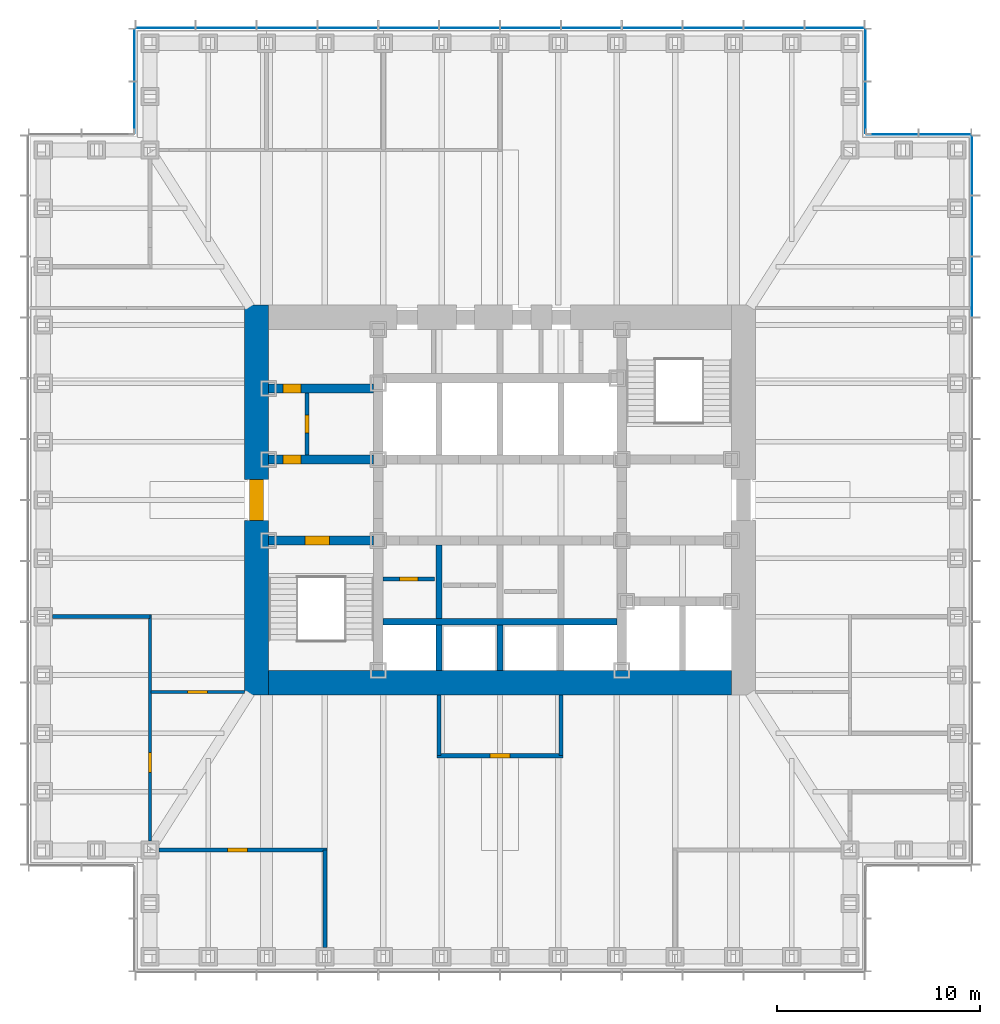
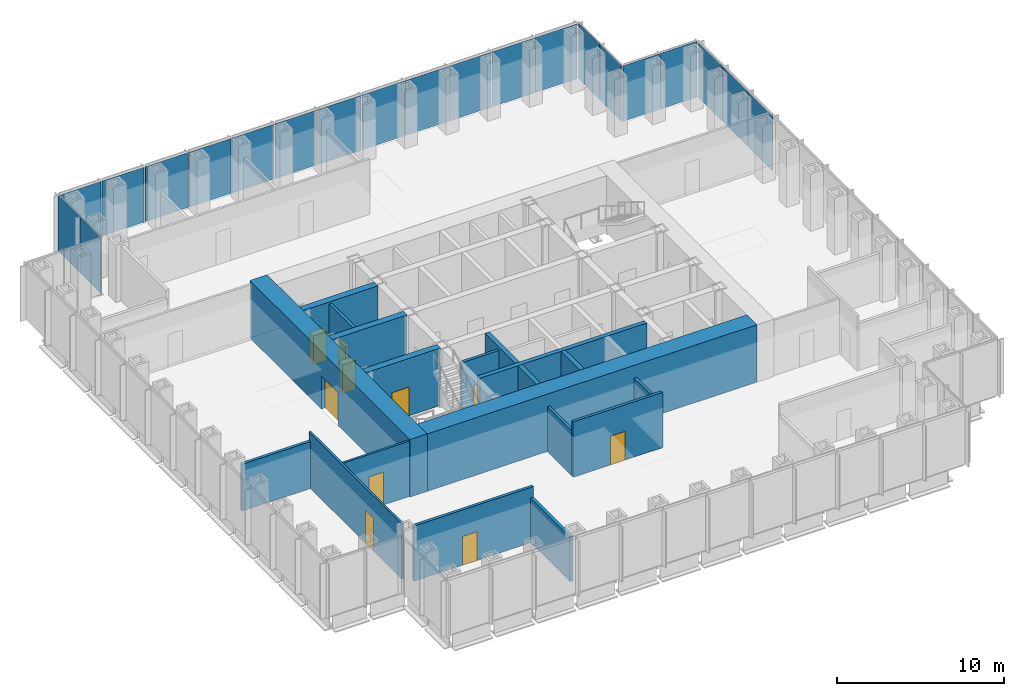
# One storey, part 8 of 16: 21 plates, 19 walls, 10 doors, 10 openings, 5 elements without a shape of their own.
"""IFC4 building model written with IfcOpenShell, lengths in metres."""

from ifc_helpers import new_model, si_unit, direction, frame, frame_2d, origin, origin_2d, place, context, subcontext, project, spatial, rectangle, extrude, material, layer, layer_set, type_object, element, fill, aggregate, save


model = new_model("IFC4")

# Units and contexts
model_context = context("Model", 3, precision=1e-05, world=origin(), true_north=direction((0.0, 1.0)))
body_context = subcontext(model_context, "Body", "Model", "MODEL_VIEW")
ifc_project = project(units=[si_unit("LENGTHUNIT", "METRE"), si_unit("AREAUNIT", "SQUARE_METRE"), si_unit("VOLUMEUNIT", "CUBIC_METRE"), si_unit("PLANEANGLEUNIT", "RADIAN"), si_unit("MASSUNIT", "GRAM", prefix="KILO")], contexts=[model_context])

# Site, building, storey
site_placement = place(None, origin())
site = spatial("IfcSite", under=ifc_project, at=site_placement, CompositionType="ELEMENT")
building_placement = place(site_placement, origin())
building = spatial("IfcBuilding", under=site, at=building_placement, Name="Daluyong Arena Tower", CompositionType="ELEMENT")
storey_placement = place(building_placement, frame((0.0, 0.0, 137.5)))
storey = spatial("IfcBuildingStorey", under=building, at=storey_placement, Name="L30", CompositionType="ELEMENT", Elevation=137.5)

# Curtain wall, plates
ifc_material_1 = material(Name="Bronze anodised aluminium and glass", Category="aluminium")
curtain_wall_type_1 = type_object("IfcCurtainWallType", Name="Curtain wall CW2", PredefinedType="USERDEFINED", material=ifc_material_1)
curtain_wall_1_placement = place(storey_placement, origin())
curtain_wall_1 = element("IfcCurtainWall", 1, at=curtain_wall_1_placement, inside=storey, type_object=curtain_wall_type_1, Name="curtain wall L30 E", ObjectType="UNITISED CURTAIN WALL", PredefinedType="USERDEFINED")
ifc_material_2 = material(Name="Tinted double glazed unit", Category="glass")
ifc_layer_1 = layer(ifc_material_2, 0.031982421875)
ifc_layer_set_1 = layer_set([ifc_layer_1], Name="Tinted double glazed unit")
plate_type_1 = type_object("IfcPlateType", Name="CW2 panel 32", PredefinedType="CURTAIN_PANEL", material=ifc_layer_set_1)
plate_1_placement = place(storey_placement, frame((79.25, 90.5, 0.0), z_axis=(0.0, 0.0, 1.0), x_axis=(0.0, 1.0, 0.0)))
plate_1 = element("IfcPlate", 2, at=plate_1_placement, type_object=plate_type_1, Name="curtain wall L30 E panel 10", PredefinedType="CURTAIN_PANEL", context=body_context, shape_type="SweptSolid", body=[
    extrude(rectangle(XDim=2.919921875, YDim=0.031982421875, at=origin_2d()), origin(), (0.0, 0.0, 1.0), 4.02001953125),
])
plate_2_placement = place(storey_placement, frame((79.25, 93.5, 0.0), z_axis=(0.0, 0.0, 1.0), x_axis=(0.0, 1.0, 0.0)))
plate_2 = element("IfcPlate", 3, at=plate_2_placement, type_object=plate_type_1, Name="curtain wall L30 E panel 11", PredefinedType="CURTAIN_PANEL", context=body_context, shape_type="SweptSolid", body=[
    extrude(rectangle(XDim=2.919921875, YDim=0.031982421875, at=origin_2d()), origin(), (0.0, 0.0, 1.0), 4.02001953125),
])
plate_3_placement = place(storey_placement, frame((79.25, 96.47998046875, 0.0), z_axis=(0.0, 0.0, 1.0), x_axis=(0.0, 1.0, 0.0)))
plate_3 = element("IfcPlate", 4, at=plate_3_placement, type_object=plate_type_1, Name="curtain wall L30 E panel 12", PredefinedType="CURTAIN_PANEL", context=body_context, shape_type="SweptSolid", body=[
    extrude(rectangle(XDim=2.8798828125, YDim=0.031982421875, at=origin_2d()), origin(), (0.0, 0.0, 1.0), 4.02001953125),
])
aggregate(curtain_wall_1, [plate_1, plate_2, plate_3])

curtain_wall_2_placement = place(storey_placement, origin())
curtain_wall_2 = element("IfcCurtainWall", 5, at=curtain_wall_2_placement, inside=storey, type_object=curtain_wall_type_1, Name="curtain wall L30 N", ObjectType="UNITISED CURTAIN WALL", PredefinedType="USERDEFINED")
plate_4_placement = place(storey_placement, frame((72.47998046875, 103.25, 0.0), z_axis=(0.0, 0.0, 1.0), x_axis=(-1.0, 0.0, 0.0)))
plate_4 = element("IfcPlate", 6, at=plate_4_placement, type_object=plate_type_1, Name="curtain wall L30 N panel 1", PredefinedType="CURTAIN_PANEL", context=body_context, shape_type="SweptSolid", body=[
    extrude(rectangle(XDim=2.8798828125, YDim=0.031982421875, at=origin_2d()), origin(), (0.0, 0.0, 1.0), 4.02001953125),
])
plate_5_placement = place(storey_placement, frame((69.5, 103.25, 0.0), z_axis=(0.0, 0.0, 1.0), x_axis=(-1.0, 0.0, 0.0)))
plate_5 = element("IfcPlate", 7, at=plate_5_placement, type_object=plate_type_1, Name="curtain wall L30 N panel 2", PredefinedType="CURTAIN_PANEL", context=body_context, shape_type="SweptSolid", body=[
    extrude(rectangle(XDim=2.919921875, YDim=0.031982421875, at=origin_2d()), origin(), (0.0, 0.0, 1.0), 4.02001953125),
])
plate_6_placement = place(storey_placement, frame((66.5, 103.25, 0.0), z_axis=(0.0, 0.0, 1.0), x_axis=(-1.0, 0.0, 0.0)))
plate_6 = element("IfcPlate", 8, at=plate_6_placement, type_object=plate_type_1, Name="curtain wall L30 N panel 3", PredefinedType="CURTAIN_PANEL", context=body_context, shape_type="SweptSolid", body=[
    extrude(rectangle(XDim=2.919921875, YDim=0.031982421875, at=origin_2d()), origin(), (0.0, 0.0, 1.0), 4.02001953125),
])
plate_7_placement = place(storey_placement, frame((63.5, 103.25, 0.0), z_axis=(0.0, 0.0, 1.0), x_axis=(-1.0, 0.0, 0.0)))
plate_7 = element("IfcPlate", 9, at=plate_7_placement, type_object=plate_type_1, Name="curtain wall L30 N panel 4", PredefinedType="CURTAIN_PANEL", context=body_context, shape_type="SweptSolid", body=[
    extrude(rectangle(XDim=2.919921875, YDim=0.031982421875, at=origin_2d()), origin(), (0.0, 0.0, 1.0), 4.02001953125),
])
plate_8_placement = place(storey_placement, frame((60.5, 103.25, 0.0), z_axis=(0.0, 0.0, 1.0), x_axis=(-1.0, 0.0, 0.0)))
plate_8 = element("IfcPlate", 10, at=plate_8_placement, type_object=plate_type_1, Name="curtain wall L30 N panel 5", PredefinedType="CURTAIN_PANEL", context=body_context, shape_type="SweptSolid", body=[
    extrude(rectangle(XDim=2.919921875, YDim=0.031982421875, at=origin_2d()), origin(), (0.0, 0.0, 1.0), 4.02001953125),
])
plate_9_placement = place(storey_placement, frame((57.5, 103.25, 0.0), z_axis=(0.0, 0.0, 1.0), x_axis=(-1.0, 0.0, 0.0)))
plate_9 = element("IfcPlate", 11, at=plate_9_placement, type_object=plate_type_1, Name="curtain wall L30 N panel 6", PredefinedType="CURTAIN_PANEL", context=body_context, shape_type="SweptSolid", body=[
    extrude(rectangle(XDim=2.919921875, YDim=0.031982421875, at=origin_2d()), origin(), (0.0, 0.0, 1.0), 4.02001953125),
])
plate_10_placement = place(storey_placement, frame((54.5, 103.25, 0.0), z_axis=(0.0, 0.0, 1.0), x_axis=(-1.0, 0.0, 0.0)))
plate_10 = element("IfcPlate", 12, at=plate_10_placement, type_object=plate_type_1, Name="curtain wall L30 N panel 7", PredefinedType="CURTAIN_PANEL", context=body_context, shape_type="SweptSolid", body=[
    extrude(rectangle(XDim=2.919921875, YDim=0.031982421875, at=origin_2d()), origin(), (0.0, 0.0, 1.0), 4.02001953125),
])
plate_11_placement = place(storey_placement, frame((51.5, 103.25, 0.0), z_axis=(0.0, 0.0, 1.0), x_axis=(-1.0, 0.0, 0.0)))
plate_11 = element("IfcPlate", 13, at=plate_11_placement, type_object=plate_type_1, Name="curtain wall L30 N panel 8", PredefinedType="CURTAIN_PANEL", context=body_context, shape_type="SweptSolid", body=[
    extrude(rectangle(XDim=2.919921875, YDim=0.031982421875, at=origin_2d()), origin(), (0.0, 0.0, 1.0), 4.02001953125),
])
plate_12_placement = place(storey_placement, frame((48.5, 103.25, 0.0), z_axis=(0.0, 0.0, 1.0), x_axis=(-1.0, 0.0, 0.0)))
plate_12 = element("IfcPlate", 14, at=plate_12_placement, type_object=plate_type_1, Name="curtain wall L30 N panel 9", PredefinedType="CURTAIN_PANEL", context=body_context, shape_type="SweptSolid", body=[
    extrude(rectangle(XDim=2.919921875, YDim=0.031982421875, at=origin_2d()), origin(), (0.0, 0.0, 1.0), 4.02001953125),
])
plate_13_placement = place(storey_placement, frame((45.5, 103.25, 0.0), z_axis=(0.0, 0.0, 1.0), x_axis=(-1.0, 0.0, 0.0)))
plate_13 = element("IfcPlate", 15, at=plate_13_placement, type_object=plate_type_1, Name="curtain wall L30 N panel 10", PredefinedType="CURTAIN_PANEL", context=body_context, shape_type="SweptSolid", body=[
    extrude(rectangle(XDim=2.919921875, YDim=0.031982421875, at=origin_2d()), origin(), (0.0, 0.0, 1.0), 4.02001953125),
])
plate_14_placement = place(storey_placement, frame((42.5, 103.25, 0.0), z_axis=(0.0, 0.0, 1.0), x_axis=(-1.0, 0.0, 0.0)))
plate_14 = element("IfcPlate", 16, at=plate_14_placement, type_object=plate_type_1, Name="curtain wall L30 N panel 11", PredefinedType="CURTAIN_PANEL", context=body_context, shape_type="SweptSolid", body=[
    extrude(rectangle(XDim=2.919921875, YDim=0.031982421875, at=origin_2d()), origin(), (0.0, 0.0, 1.0), 4.02001953125),
])
plate_15_placement = place(storey_placement, frame((39.52001953125, 103.25, 0.0), z_axis=(0.0, 0.0, 1.0), x_axis=(-1.0, 0.0, 0.0)))
plate_15 = element("IfcPlate", 17, at=plate_15_placement, type_object=plate_type_1, Name="curtain wall L30 N panel 12", PredefinedType="CURTAIN_PANEL", context=body_context, shape_type="SweptSolid", body=[
    extrude(rectangle(XDim=2.8798828125, YDim=0.031982421875, at=origin_2d()), origin(), (0.0, 0.0, 1.0), 4.02001953125),
])
aggregate(curtain_wall_2, [plate_4, plate_5, plate_6, plate_7, plate_8, plate_9, plate_10, plate_11, plate_12, plate_13, plate_14, plate_15])

ifc_material_3 = material(Name="Bronze anodised aluminium and glass", Category="aluminium")
curtain_wall_type_2 = type_object("IfcCurtainWallType", Name="Curtain wall CW7", PredefinedType="USERDEFINED", material=ifc_material_3)
curtain_wall_3_placement = place(storey_placement, origin())
curtain_wall_3 = element("IfcCurtainWall", 18, at=curtain_wall_3_placement, inside=storey, type_object=curtain_wall_type_2, Name="curtain wall L30 NE-N", ObjectType="UNITISED CURTAIN WALL", PredefinedType="USERDEFINED")
ifc_material_4 = material(Name="Tinted double glazed unit", Category="glass")
ifc_layer_2 = layer(ifc_material_4, 0.028076171875)
ifc_layer_set_2 = layer_set([ifc_layer_2], Name="Tinted double glazed unit")
plate_type_2 = type_object("IfcPlateType", Name="CW7 panel 28", PredefinedType="CURTAIN_PANEL", material=ifc_layer_set_2)
plate_16_placement = place(storey_placement, frame((77.922607421875, 98.0, 0.0), z_axis=(0.0, 0.0, 1.0), x_axis=(-1.0, 0.0, 0.0)))
plate_16 = element("IfcPlate", 19, at=plate_16_placement, type_object=plate_type_2, Name="curtain wall L30 NE-N panel 1", PredefinedType="CURTAIN_PANEL", context=body_context, shape_type="SweptSolid", body=[
    extrude(rectangle(XDim=2.534912109375, YDim=0.028076171875, at=origin_2d()), origin(), (0.0, 0.0, 1.0), 4.080078125),
])
plate_17_placement = place(storey_placement, frame((75.327392578125, 98.0, 0.0), z_axis=(0.0, 0.0, 1.0), x_axis=(-1.0, 0.0, 0.0)))
plate_17 = element("IfcPlate", 20, at=plate_17_placement, type_object=plate_type_2, Name="curtain wall L30 NE-N panel 2", PredefinedType="CURTAIN_PANEL", context=body_context, shape_type="SweptSolid", body=[
    extrude(rectangle(XDim=2.534912109375, YDim=0.028076171875, at=origin_2d()), origin(), (0.0, 0.0, 1.0), 4.080078125),
])
aggregate(curtain_wall_3, [plate_16, plate_17])

curtain_wall_4_placement = place(storey_placement, origin())
curtain_wall_4 = element("IfcCurtainWall", 21, at=curtain_wall_4_placement, inside=storey, type_object=curtain_wall_type_2, Name="curtain wall L30 NE-E", ObjectType="UNITISED CURTAIN WALL", PredefinedType="USERDEFINED")
plate_18_placement = place(storey_placement, frame((74.0, 99.327392578125, 0.0), z_axis=(0.0, 0.0, 1.0), x_axis=(0.0, 1.0, 0.0)))
plate_18 = element("IfcPlate", 22, at=plate_18_placement, type_object=plate_type_2, Name="curtain wall L30 NE-E panel 1", PredefinedType="CURTAIN_PANEL", context=body_context, shape_type="SweptSolid", body=[
    extrude(rectangle(XDim=2.534912109375, YDim=0.028076171875, at=origin_2d()), origin(), (0.0, 0.0, 1.0), 4.080078125),
])
plate_19_placement = place(storey_placement, frame((74.0, 101.922607421875, 0.0), z_axis=(0.0, 0.0, 1.0), x_axis=(0.0, 1.0, 0.0)))
plate_19 = element("IfcPlate", 23, at=plate_19_placement, type_object=plate_type_2, Name="curtain wall L30 NE-E panel 2", PredefinedType="CURTAIN_PANEL", context=body_context, shape_type="SweptSolid", body=[
    extrude(rectangle(XDim=2.534912109375, YDim=0.028076171875, at=origin_2d()), origin(), (0.0, 0.0, 1.0), 4.080078125),
])
aggregate(curtain_wall_4, [plate_18, plate_19])

curtain_wall_5_placement = place(storey_placement, origin())
curtain_wall_5 = element("IfcCurtainWall", 24, at=curtain_wall_5_placement, inside=storey, type_object=curtain_wall_type_2, Name="curtain wall L30 NW-W", ObjectType="UNITISED CURTAIN WALL", PredefinedType="USERDEFINED")
plate_20_placement = place(storey_placement, frame((38.0, 101.922607421875, 0.0), z_axis=(0.0, 0.0, 1.0), x_axis=(0.0, -1.0, 0.0)))
plate_20 = element("IfcPlate", 25, at=plate_20_placement, type_object=plate_type_2, Name="curtain wall L30 NW-W panel 1", PredefinedType="CURTAIN_PANEL", context=body_context, shape_type="SweptSolid", body=[
    extrude(rectangle(XDim=2.534912109375, YDim=0.028076171875, at=origin_2d()), origin(), (0.0, 0.0, 1.0), 4.080078125),
])
plate_21_placement = place(storey_placement, frame((38.0, 99.327392578125, 0.0), z_axis=(0.0, 0.0, 1.0), x_axis=(0.0, -1.0, 0.0)))
plate_21 = element("IfcPlate", 26, at=plate_21_placement, type_object=plate_type_2, Name="curtain wall L30 NW-W panel 2", PredefinedType="CURTAIN_PANEL", context=body_context, shape_type="SweptSolid", body=[
    extrude(rectangle(XDim=2.534912109375, YDim=0.028076171875, at=origin_2d()), origin(), (0.0, 0.0, 1.0), 4.080078125),
])
aggregate(curtain_wall_5, [plate_20, plate_21])

# Wall, opening, door
ifc_material_5 = material(Name="Concrete fc' 45 MPa", Category="concrete")
ifc_layer_3 = layer(ifc_material_5, 0.449951171875)
ifc_layer_set_3 = layer_set([ifc_layer_3], Name="Concrete fc' 45 MPa")
wall_type_1 = type_object("IfcWallType", Name="Core inner wall 450", PredefinedType="SHEAR", material=ifc_layer_set_3)
wall_1_placement = place(storey_placement, frame((44.60009765625, 78.0, 0.0), z_axis=(0.0, 0.0, 1.0), x_axis=(1.0, 0.0, 0.0)))
wall_1 = element("IfcWall", 27, at=wall_1_placement, inside=storey, type_object=wall_type_1, Name="core inner wall at L30", PredefinedType="SHEAR", context=body_context, shape_type="SweptSolid", body=[
    extrude(rectangle(XDim=5.1748046875, YDim=0.449951171875, at=frame_2d((2.58740234375, 0.0))), origin(), (0.0, 0.0, 1.0), 4.199951171875),
])
opening_1_placement = place(wall_1_placement, frame((1.800048828125, 0.0, 0.0)))
opening_1 = element("IfcOpeningElement", 28, at=opening_1_placement, cuts=wall_1, Name="Opening 30016", PredefinedType="OPENING", context=body_context, shape_type="SweptSolid", body=[
    extrude(rectangle(XDim=1.199951171875, YDim=2.10009765625, at=frame_2d((0.60009765625, 1.050048828125))), frame((0.0, 0.23486328125, 0.0), z_axis=(0.0, -1.0, 0.0), x_axis=(1.0, 0.0, 0.0)), (0.0, 0.0, 1.0), 0.469970703125),
])
ifc_material_6 = material(Name="Steel door, fire rated", Category="steel")
door_type_1 = type_object("IfcDoorType", Name="Stair door 1200", OperationType="SINGLE_SWING_LEFT", PredefinedType="DOOR", material=ifc_material_6)
door_1_placement = place(opening_1_placement, origin())
door_1 = element("IfcDoor", 29, at=door_1_placement, inside=storey, type_object=door_type_1, Name="stair A door 30016", OperationType="SINGLE_SWING_LEFT", OverallHeight=2.10009765625, OverallWidth=1.199951171875, PredefinedType="DOOR", context=body_context, shape_type="SweptSolid", body=[
    extrude(rectangle(XDim=1.199951171875, YDim=2.10009765625, at=frame_2d((0.60009765625, 1.050048828125))), frame((0.0, 0.224609375, 0.0), z_axis=(0.0, -1.0, 0.0), x_axis=(1.0, 0.0, 0.0)), (0.0, 0.0, 1.0), 0.449462890625),
])
fill(opening_1, door_1)

wall_2_placement = place(storey_placement, frame((44.60009765625, 82.0, 0.0), z_axis=(0.0, 0.0, 1.0), x_axis=(1.0, 0.0, 0.0)))
wall_2 = element("IfcWall", 30, at=wall_2_placement, inside=storey, type_object=wall_type_1, Name="core inner wall at L30", PredefinedType="SHEAR", context=body_context, shape_type="SweptSolid", body=[
    extrude(rectangle(XDim=5.1748046875, YDim=0.449951171875, at=frame_2d((2.58740234375, 0.0))), origin(), (0.0, 0.0, 1.0), 4.199951171875),
])
opening_2_placement = place(wall_2_placement, frame((0.699951171875, 0.0, 0.0)))
opening_2 = element("IfcOpeningElement", 31, at=opening_2_placement, cuts=wall_2, Name="Opening 30001", PredefinedType="OPENING", context=body_context, shape_type="SweptSolid", body=[
    extrude(rectangle(XDim=0.89990234375, YDim=2.10009765625, at=frame_2d((0.449951171875, 1.050048828125))), frame((0.0, 0.23486328125, 0.0), z_axis=(0.0, -1.0, 0.0), x_axis=(1.0, 0.0, 0.0)), (0.0, 0.0, 1.0), 0.469970703125),
])
ifc_material_7 = material(Name="Steel door, fire rated", Category="steel")
door_type_2 = type_object("IfcDoorType", Name="Core room door 900", OperationType="SINGLE_SWING_LEFT", PredefinedType="DOOR", material=ifc_material_7)
door_2_placement = place(opening_2_placement, origin())
door_2 = element("IfcDoor", 32, at=door_2_placement, inside=storey, type_object=door_type_2, Name="toilet lobby door 30001", OperationType="SINGLE_SWING_LEFT", OverallHeight=2.10009765625, OverallWidth=0.89990234375, PredefinedType="DOOR", context=body_context, shape_type="SweptSolid", body=[
    extrude(rectangle(XDim=0.89990234375, YDim=2.10009765625, at=frame_2d((0.449951171875, 1.050048828125))), frame((0.0, 0.224609375, 0.0), z_axis=(0.0, -1.0, 0.0), x_axis=(1.0, 0.0, 0.0)), (0.0, 0.0, 1.0), 0.449462890625),
])
fill(opening_2, door_2)

wall_3_placement = place(storey_placement, frame((44.60009765625, 85.5, 0.0), z_axis=(0.0, 0.0, 1.0), x_axis=(1.0, 0.0, 0.0)))
wall_3 = element("IfcWall", 33, at=wall_3_placement, inside=storey, type_object=wall_type_1, Name="core inner wall at L30", PredefinedType="SHEAR", context=body_context, shape_type="SweptSolid", body=[
    extrude(rectangle(XDim=5.1748046875, YDim=0.449951171875, at=frame_2d((2.58740234375, 0.0))), origin(), (0.0, 0.0, 1.0), 4.199951171875),
])
opening_3_placement = place(wall_3_placement, frame((0.699951171875, 0.0, 0.0)))
opening_3 = element("IfcOpeningElement", 34, at=opening_3_placement, cuts=wall_3, Name="Opening 30003", PredefinedType="OPENING", context=body_context, shape_type="SweptSolid", body=[
    extrude(rectangle(XDim=0.89990234375, YDim=2.10009765625, at=frame_2d((0.449951171875, 1.050048828125))), frame((0.0, 0.23486328125, 0.0), z_axis=(0.0, -1.0, 0.0), x_axis=(1.0, 0.0, 0.0)), (0.0, 0.0, 1.0), 0.469970703125),
])
ifc_material_8 = material(Name="Timber door", Category="wood")
door_type_3 = type_object("IfcDoorType", Name="Toilet door 900", OperationType="SINGLE_SWING_RIGHT", PredefinedType="DOOR", material=ifc_material_8)
door_3_placement = place(opening_3_placement, origin())
door_3 = element("IfcDoor", 35, at=door_3_placement, inside=storey, type_object=door_type_3, Name="female toilet door 30003", OperationType="SINGLE_SWING_RIGHT", OverallHeight=2.10009765625, OverallWidth=0.89990234375, PredefinedType="DOOR", context=body_context, shape_type="SweptSolid", body=[
    extrude(rectangle(XDim=0.89990234375, YDim=2.10009765625, at=frame_2d((0.449951171875, 1.050048828125))), frame((0.0, 0.224609375, 0.0), z_axis=(0.0, -1.0, 0.0), x_axis=(1.0, 0.0, 0.0)), (0.0, 0.0, 1.0), 0.449462890625),
])
fill(opening_3, door_3)

ifc_material_9 = material(Name="Concrete fc' 60 MPa", Category="concrete")
ifc_layer_4 = layer(ifc_material_9, 1.199951171875)
ifc_layer_set_4 = layer_set([ifc_layer_4], Name="Concrete fc' 60 MPa")
wall_type_2 = type_object("IfcWallType", Name="Core wall 1200", PredefinedType="SHEAR", material=ifc_layer_set_4)
wall_4_placement = place(storey_placement, frame((44.0, 70.39990234375, 0.0), z_axis=(0.0, 0.0, 1.0), x_axis=(0.0, 1.0, 0.0)))
wall_4 = element("IfcWall", 36, at=wall_4_placement, inside=storey, type_object=wall_type_2, Name="core wall at L30", PredefinedType="SHEAR", context=body_context, shape_type="SweptSolid", body=[
    extrude(rectangle(XDim=19.2001953125, YDim=1.199951171875, at=frame_2d((9.60009765625, 0.0))), origin(), (0.0, 0.0, 1.0), 4.199951171875),
])
opening_4_placement = place(wall_4_placement, frame((8.60009765625, 0.0, 0.0)))
opening_4 = element("IfcOpeningElement", 37, at=opening_4_placement, cuts=wall_4, Name="Opening 30018", PredefinedType="OPENING", context=body_context, shape_type="SweptSolid", body=[
    extrude(rectangle(XDim=2.0, YDim=2.39990234375, at=frame_2d((1.0, 1.199951171875))), frame((0.0, 0.60986328125, 0.0), z_axis=(0.0, -1.0, 0.0), x_axis=(1.0, 0.0, 0.0)), (0.0, 0.0, 1.0), 1.219970703125),
])
ifc_material_10 = material(Name="Steel door, fire rated", Category="steel")
door_type_4 = type_object("IfcDoorType", Name="Core lobby double door 2000", OperationType="DOUBLE_DOOR_SINGLE_SWING", PredefinedType="DOOR", material=ifc_material_10)
door_4_placement = place(opening_4_placement, origin())
door_4 = element("IfcDoor", 38, at=door_4_placement, inside=storey, type_object=door_type_4, Name="core lobby door west 30018", OperationType="DOUBLE_DOOR_SINGLE_SWING", OverallHeight=2.39990234375, OverallWidth=2.0, PredefinedType="DOOR", context=body_context, shape_type="SweptSolid", body=[
    extrude(rectangle(XDim=2.0, YDim=2.39990234375, at=frame_2d((1.0, 1.199951171875))), frame((0.0, 0.35009765625, 0.0), z_axis=(0.0, -1.0, 0.0), x_axis=(1.0, 0.0, 0.0)), (0.0, 0.0, 1.0), 0.699951171875),
])
fill(opening_4, door_4)

# Wall
wall_5_placement = place(storey_placement, frame((44.60009765625, 71.0, 0.0), z_axis=(0.0, 0.0, 1.0), x_axis=(1.0, 0.0, 0.0)))
element("IfcWall", 39, at=wall_5_placement, inside=storey, type_object=wall_type_2, Name="core wall at L30", PredefinedType="SHEAR", context=body_context, shape_type="SweptSolid", body=[
    extrude(rectangle(XDim=22.7998046875, YDim=1.199951171875, at=frame_2d((11.39990234375, 0.0))), origin(), (0.0, 0.0, 1.0), 4.199951171875),
])

# Wall, opening, door
ifc_material_11 = material(Name="Concrete block partition, fire rated", Category="concrete")
ifc_layer_5 = layer(ifc_material_11, 0.199951171875)
ifc_layer_set_5 = layer_set([ifc_layer_5], Name="Concrete block partition, fire rated")
wall_type_3 = type_object("IfcWallType", Name="Fire-rated partition 200", PredefinedType="PARTITIONING", material=ifc_layer_set_5)
wall_6_placement = place(storey_placement, frame((46.5, 82.22509765625, 0.0), z_axis=(0.0, 0.0, 1.0), x_axis=(0.0, 1.0, 0.0)))
wall_6 = element("IfcWall", 40, at=wall_6_placement, inside=storey, type_object=wall_type_3, Name="toilet lobby partition at L30", PredefinedType="PARTITIONING", context=body_context, shape_type="SweptSolid", body=[
    extrude(rectangle(XDim=3.0498046875, YDim=0.199951171875, at=frame_2d((1.52490234375, 0.0))), origin(), (0.0, 0.0, 1.0), 4.0400390625),
])
opening_5_placement = place(wall_6_placement, frame((1.074951171875, 0.0, 0.0)))
opening_5 = element("IfcOpeningElement", 41, at=opening_5_placement, cuts=wall_6, Name="Opening 30002", PredefinedType="OPENING", context=body_context, shape_type="SweptSolid", body=[
    extrude(rectangle(XDim=0.89990234375, YDim=2.10009765625, at=frame_2d((0.449951171875, 1.050048828125))), frame((0.0, 0.10986328125, 0.0), z_axis=(0.0, -1.0, 0.0), x_axis=(1.0, 0.0, 0.0)), (0.0, 0.0, 1.0), 0.219970703125),
])
door_5_placement = place(opening_5_placement, origin())
door_5 = element("IfcDoor", 42, at=door_5_placement, inside=storey, type_object=door_type_3, Name="male toilet door 30002", OperationType="SINGLE_SWING_RIGHT", OverallHeight=2.10009765625, OverallWidth=0.89990234375, PredefinedType="DOOR", context=body_context, shape_type="SweptSolid", body=[
    extrude(rectangle(XDim=0.89990234375, YDim=2.10009765625, at=frame_2d((0.449951171875, 1.050048828125))), frame((0.0, 0.099609375, 0.0), z_axis=(0.0, -1.0, 0.0), x_axis=(1.0, 0.0, 0.0)), (0.0, 0.0, 1.0), 0.199462890625),
])
fill(opening_5, door_5)

wall_7_placement = place(storey_placement, frame((50.22509765625, 76.10009765625, 0.0), z_axis=(0.0, 0.0, 1.0), x_axis=(1.0, 0.0, 0.0)))
wall_7 = element("IfcWall", 43, at=wall_7_placement, inside=storey, type_object=wall_type_3, Name="back store partition at L30", PredefinedType="PARTITIONING", context=body_context, shape_type="SweptSolid", body=[
    extrude(rectangle(XDim=2.5498046875, YDim=0.199951171875, at=frame_2d((1.27490234375, 0.0))), origin(), (0.0, 0.0, 1.0), 4.0400390625),
])
opening_6_placement = place(wall_7_placement, frame((0.824951171875, 0.0, 0.0)))
opening_6 = element("IfcOpeningElement", 44, at=opening_6_placement, cuts=wall_7, Name="Opening 30010", PredefinedType="OPENING", context=body_context, shape_type="SweptSolid", body=[
    extrude(rectangle(XDim=0.89990234375, YDim=2.10009765625, at=frame_2d((0.449951171875, 1.050048828125))), frame((0.0, 0.10986328125, 0.0), z_axis=(0.0, -1.0, 0.0), x_axis=(1.0, 0.0, 0.0)), (0.0, 0.0, 1.0), 0.219970703125),
])
ifc_material_12 = material(Name="Steel door, fire rated", Category="steel")
door_type_5 = type_object("IfcDoorType", Name="Core store door 900", OperationType="SINGLE_SWING_LEFT", PredefinedType="DOOR", material=ifc_material_12)
door_6_placement = place(opening_6_placement, origin())
door_6 = element("IfcDoor", 45, at=door_6_placement, inside=storey, type_object=door_type_5, Name="tenant store door 30010", OperationType="SINGLE_SWING_LEFT", OverallHeight=2.10009765625, OverallWidth=0.89990234375, PredefinedType="DOOR", context=body_context, shape_type="SweptSolid", body=[
    extrude(rectangle(XDim=0.89990234375, YDim=2.10009765625, at=frame_2d((0.449951171875, 1.050048828125))), frame((0.0, 0.099609375, 0.0), z_axis=(0.0, -1.0, 0.0), x_axis=(1.0, 0.0, 0.0)), (0.0, 0.0, 1.0), 0.199462890625),
])
fill(opening_6, door_6)

ifc_material_13 = material(Name="Glazed aluminium partition", Category="aluminium")
ifc_layer_6 = layer(ifc_material_13, 0.14990234375)
ifc_layer_set_6 = layer_set([ifc_layer_6], Name="Glazed aluminium partition")
wall_type_4 = type_object("IfcWallType", Name="Glazed partition 150", PredefinedType="PARTITIONING", material=ifc_layer_set_6)
wall_8_placement = place(storey_placement, frame((38.800048828125, 70.550048828125, 0.0), z_axis=(0.0, 0.0, 1.0), x_axis=(1.0, 0.0, 0.0)))
wall_8 = element("IfcWall", 46, at=wall_8_placement, inside=storey, type_object=wall_type_4, Name="glazed partition at L30", PredefinedType="PARTITIONING", context=body_context, shape_type="SweptSolid", body=[
    extrude(rectangle(XDim=4.599853515625, YDim=0.14990234375, at=frame_2d((2.2998046875, 0.0))), origin(), (0.0, 0.0, 1.0), 4.0400390625),
])
opening_7_placement = place(wall_8_placement, frame((1.800048828125, 0.0, 0.0)))
opening_7 = element("IfcOpeningElement", 47, at=opening_7_placement, cuts=wall_8, Name="Opening 30039", PredefinedType="OPENING", context=body_context, shape_type="SweptSolid", body=[
    extrude(rectangle(XDim=1.0, YDim=2.39990234375, at=frame_2d((0.5, 1.199951171875))), frame((0.0, 0.0849609375, 0.0), z_axis=(0.0, -1.0, 0.0), x_axis=(1.0, 0.0, 0.0)), (0.0, 0.0, 1.0), 0.169921875),
])
ifc_material_14 = material(Name="Glazed aluminium door", Category="aluminium")
door_type_6 = type_object("IfcDoorType", Name="Meeting room glazed door 1000", OperationType="SINGLE_SWING_RIGHT", PredefinedType="DOOR", material=ifc_material_14)
door_7_placement = place(opening_7_placement, origin())
door_7 = element("IfcDoor", 48, at=door_7_placement, inside=storey, type_object=door_type_6, Name="team area screen door 30039", OperationType="SINGLE_SWING_RIGHT", OverallHeight=2.39990234375, OverallWidth=1.0, PredefinedType="DOOR", context=body_context, shape_type="SweptSolid", body=[
    extrude(rectangle(XDim=1.0, YDim=2.39990234375, at=frame_2d((0.5, 1.199951171875))), frame((0.0, 0.07470703125, 0.0), z_axis=(0.0, -1.0, 0.0), x_axis=(1.0, 0.0, 0.0)), (0.0, 0.0, 1.0), 0.1494140625),
])
fill(opening_7, door_7)

wall_9_placement = place(storey_placement, frame((38.75, 63.199951171875, 0.0), z_axis=(0.0, 0.0, 1.0), x_axis=(0.0, 1.0, 0.0)))
wall_9 = element("IfcWall", 49, at=wall_9_placement, inside=storey, type_object=wall_type_4, Name="glazed partition at L30", PredefinedType="PARTITIONING", context=body_context, shape_type="SweptSolid", body=[
    extrude(rectangle(XDim=11.150146484375, YDim=0.14990234375, at=frame_2d((5.5751953125, 0.0))), origin(), (0.0, 0.0, 1.0), 4.0400390625),
])
opening_8_placement = place(wall_9_placement, frame((3.362548828125, 0.0, 0.0)))
opening_8 = element("IfcOpeningElement", 50, at=opening_8_placement, cuts=wall_9, Name="Opening 30036", PredefinedType="OPENING", context=body_context, shape_type="SweptSolid", body=[
    extrude(rectangle(XDim=1.0, YDim=2.39990234375, at=frame_2d((0.5, 1.199951171875))), frame((0.0, 0.0849609375, 0.0), z_axis=(0.0, -1.0, 0.0), x_axis=(1.0, 0.0, 0.0)), (0.0, 0.0, 1.0), 0.169921875),
])
door_8_placement = place(opening_8_placement, origin())
door_8 = element("IfcDoor", 51, at=door_8_placement, inside=storey, type_object=door_type_6, Name="boardroom door 30036", OperationType="SINGLE_SWING_RIGHT", OverallHeight=2.39990234375, OverallWidth=1.0, PredefinedType="DOOR", context=body_context, shape_type="SweptSolid", body=[
    extrude(rectangle(XDim=1.0, YDim=2.39990234375, at=frame_2d((0.5, 1.199951171875))), frame((0.0, 0.07470703125, 0.0), z_axis=(0.0, -1.0, 0.0), x_axis=(1.0, 0.0, 0.0)), (0.0, 0.0, 1.0), 0.1494140625),
])
fill(opening_8, door_8)

# Walls
ifc_material_15 = material(Name="Concrete fc' 45 MPa", Category="concrete")
ifc_layer_7 = layer(ifc_material_15, 0.300048828125)
ifc_layer_set_7 = layer_set([ifc_layer_7], Name="Concrete fc' 45 MPa")
wall_type_5 = type_object("IfcWallType", Name="Lift shaft wall 300", PredefinedType="SHEAR", material=ifc_layer_set_7)
wall_10_placement = place(storey_placement, frame((50.22509765625, 74.0, 0.0), z_axis=(0.0, 0.0, 1.0), x_axis=(1.0, 0.0, 0.0)))
element("IfcWall", 52, at=wall_10_placement, inside=storey, type_object=wall_type_5, Name="lift shaft wall at L30", PredefinedType="SHEAR", context=body_context, shape_type="SweptSolid", body=[
    extrude(rectangle(XDim=11.5498046875, YDim=0.300048828125, at=frame_2d((5.77490234375, 0.0))), origin(), (0.0, 0.0, 1.0), 4.199951171875),
])
wall_11_placement = place(storey_placement, frame((53.0, 71.60009765625, 0.0), z_axis=(0.0, 0.0, 1.0), x_axis=(0.0, 1.0, 0.0)))
element("IfcWall", 53, at=wall_11_placement, inside=storey, type_object=wall_type_5, Name="lift shaft wall at L30", PredefinedType="SHEAR", context=body_context, shape_type="SweptSolid", body=[
    extrude(rectangle(XDim=2.25, YDim=0.300048828125, at=frame_2d((1.125, 0.0))), origin(), (0.0, 0.0, 1.0), 4.199951171875),
])
wall_12_placement = place(storey_placement, frame((53.0, 74.14990234375, 0.0), z_axis=(0.0, 0.0, 1.0), x_axis=(0.0, 1.0, 0.0)))
element("IfcWall", 54, at=wall_12_placement, inside=storey, type_object=wall_type_5, Name="lift shaft wall at L30", PredefinedType="SHEAR", context=body_context, shape_type="SweptSolid", body=[
    extrude(rectangle(XDim=3.625, YDim=0.300048828125, at=frame_2d((1.8125, 0.0))), origin(), (0.0, 0.0, 1.0), 4.199951171875),
])
wall_13_placement = place(storey_placement, frame((56.0, 71.60009765625, 0.0), z_axis=(0.0, 0.0, 1.0), x_axis=(0.0, 1.0, 0.0)))
element("IfcWall", 55, at=wall_13_placement, inside=storey, type_object=wall_type_5, Name="lift shaft wall at L30", PredefinedType="SHEAR", context=body_context, shape_type="SweptSolid", body=[
    extrude(rectangle(XDim=2.25, YDim=0.300048828125, at=frame_2d((1.125, 0.0))), origin(), (0.0, 0.0, 1.0), 4.199951171875),
])
ifc_material_16 = material(Name="Concrete block partition", Category="concrete")
ifc_layer_8 = layer(ifc_material_16, 0.199951171875)
ifc_layer_set_8 = layer_set([ifc_layer_8], Name="Concrete block partition")
wall_type_6 = type_object("IfcWallType", Name="Partition 200", PredefinedType="PARTITIONING", material=ifc_layer_set_8)
wall_14_placement = place(storey_placement, frame((47.375, 57.949951171875, 0.0), z_axis=(0.0, 0.0, 1.0), x_axis=(0.0, 1.0, 0.0)))
element("IfcWall", 56, at=wall_14_placement, inside=storey, type_object=wall_type_6, Name="partition at L30", PredefinedType="PARTITIONING", context=body_context, shape_type="SweptSolid", body=[
    extrude(rectangle(XDim=4.800048828125, YDim=0.199951171875, at=frame_2d((2.39990234375, 0.0))), origin(), (0.0, 0.0, 1.0), 3.278076171875),
])
wall_15_placement = place(storey_placement, frame((33.949951171875, 74.25, 0.0), z_axis=(0.0, 0.0, 1.0), x_axis=(1.0, 0.0, 0.0)))
element("IfcWall", 57, at=wall_15_placement, inside=storey, type_object=wall_type_6, Name="partition at L30", PredefinedType="PARTITIONING", context=body_context, shape_type="SweptSolid", body=[
    extrude(rectangle(XDim=4.800048828125, YDim=0.199951171875, at=frame_2d((2.39990234375, 0.0))), origin(), (0.0, 0.0, 1.0), 3.427978515625),
])
for number, where, z_axis, x_axis, name in (
    (58, (53.0, 67.39990234375, 0.0), (0.0, 0.0, 1.0), (0.0, 1.0, 0.0), "partition at L30"),
    (59, (59.0, 67.39990234375, 0.0), (0.0, 0.0, 1.0), (0.0, 1.0, 0.0), "partition at L30"),
):
    element("IfcWall", number, at=place(storey_placement, frame(where, z_axis=z_axis, x_axis=x_axis)), inside=storey, type_object=wall_type_6, Name=name, PredefinedType="PARTITIONING", context=body_context, shape_type="SweptSolid", body=[
        extrude(rectangle(XDim=3.0, YDim=0.199951171875, at=frame_2d((1.5, 0.0))), origin(), (0.0, 0.0, 1.0), 3.278076171875),
    ])

# Wall, opening, door
wall_16_placement = place(storey_placement, frame((39.199951171875, 62.75, 0.0), z_axis=(0.0, 0.0, 1.0), x_axis=(1.0, 0.0, 0.0)))
wall_16 = element("IfcWall", 60, at=wall_16_placement, inside=storey, type_object=wall_type_6, Name="partition at L30", PredefinedType="PARTITIONING", context=body_context, shape_type="SweptSolid", body=[
    extrude(rectangle(XDim=8.275146484375, YDim=0.199951171875, at=frame_2d((4.1376953125, 0.0))), origin(), (0.0, 0.0, 1.0), 4.0400390625),
])
opening_9_placement = place(wall_16_placement, frame((3.362548828125, 0.0, 0.0)))
opening_9 = element("IfcOpeningElement", 61, at=opening_9_placement, cuts=wall_16, Name="Opening 30029", PredefinedType="OPENING", context=body_context, shape_type="SweptSolid", body=[
    extrude(rectangle(XDim=1.0, YDim=2.10009765625, at=frame_2d((0.5, 1.050048828125))), frame((0.0, 0.10986328125, 0.0), z_axis=(0.0, -1.0, 0.0), x_axis=(1.0, 0.0, 0.0)), (0.0, 0.0, 1.0), 0.219970703125),
])
ifc_material_17 = material(Name="Timber door", Category="wood")
door_type_7 = type_object("IfcDoorType", Name="Room door 1000", OperationType="SINGLE_SWING_LEFT", PredefinedType="DOOR", material=ifc_material_17)
door_9_placement = place(opening_9_placement, origin())
door_9 = element("IfcDoor", 62, at=door_9_placement, inside=storey, type_object=door_type_7, Name="training room door 30029", OperationType="SINGLE_SWING_LEFT", OverallHeight=2.10009765625, OverallWidth=1.0, PredefinedType="DOOR", context=body_context, shape_type="SweptSolid", body=[
    extrude(rectangle(XDim=1.0, YDim=2.10009765625, at=frame_2d((0.5, 1.050048828125))), frame((0.0, 0.099609375, 0.0), z_axis=(0.0, -1.0, 0.0), x_axis=(1.0, 0.0, 0.0)), (0.0, 0.0, 1.0), 0.199462890625),
])
fill(opening_9, door_9)

wall_17_placement = place(storey_placement, frame((52.89990234375, 67.39990234375, 0.0), z_axis=(0.0, 0.0, 1.0), x_axis=(1.0, 0.0, 0.0)))
wall_17 = element("IfcWall", 63, at=wall_17_placement, inside=storey, type_object=wall_type_6, Name="partition at L30", PredefinedType="PARTITIONING", context=body_context, shape_type="SweptSolid", body=[
    extrude(rectangle(XDim=6.2001953125, YDim=0.199951171875, at=frame_2d((3.10009765625, 0.0))), origin(), (0.0, 0.0, 1.0), 4.0400390625),
])
opening_10_placement = place(wall_17_placement, frame((2.60009765625, 0.0, 0.0)))
opening_10 = element("IfcOpeningElement", 64, at=opening_10_placement, cuts=wall_17, Name="Opening 30038", PredefinedType="OPENING", context=body_context, shape_type="SweptSolid", body=[
    extrude(rectangle(XDim=1.0, YDim=2.10009765625, at=frame_2d((0.5, 1.050048828125))), frame((0.0, 0.10986328125, 0.0), z_axis=(0.0, -1.0, 0.0), x_axis=(1.0, 0.0, 0.0)), (0.0, 0.0, 1.0), 0.219970703125),
])
door_10_placement = place(opening_10_placement, origin())
door_10 = element("IfcDoor", 65, at=door_10_placement, inside=storey, type_object=door_type_7, Name="copy room door 30038", OperationType="SINGLE_SWING_LEFT", OverallHeight=2.10009765625, OverallWidth=1.0, PredefinedType="DOOR", context=body_context, shape_type="SweptSolid", body=[
    extrude(rectangle(XDim=1.0, YDim=2.10009765625, at=frame_2d((0.5, 1.050048828125))), frame((0.0, 0.099609375, 0.0), z_axis=(0.0, -1.0, 0.0), x_axis=(1.0, 0.0, 0.0)), (0.0, 0.0, 1.0), 0.199462890625),
])
fill(opening_10, door_10)

save(model, "model.ifc")
